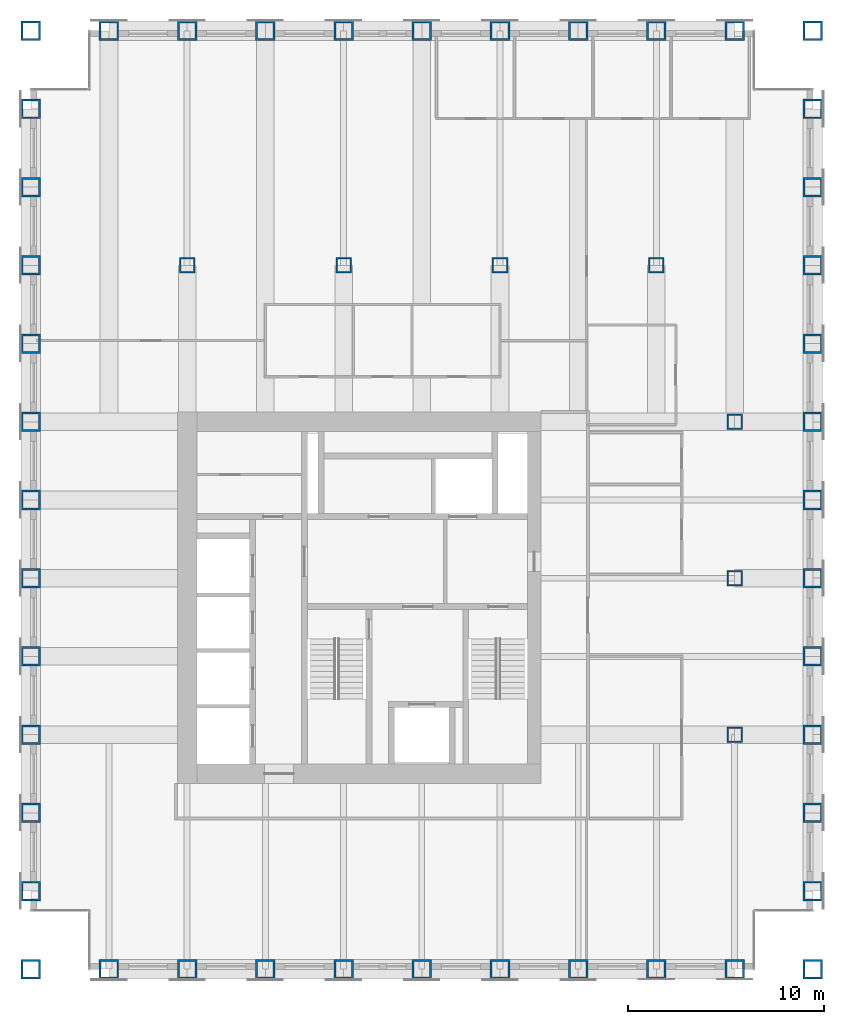
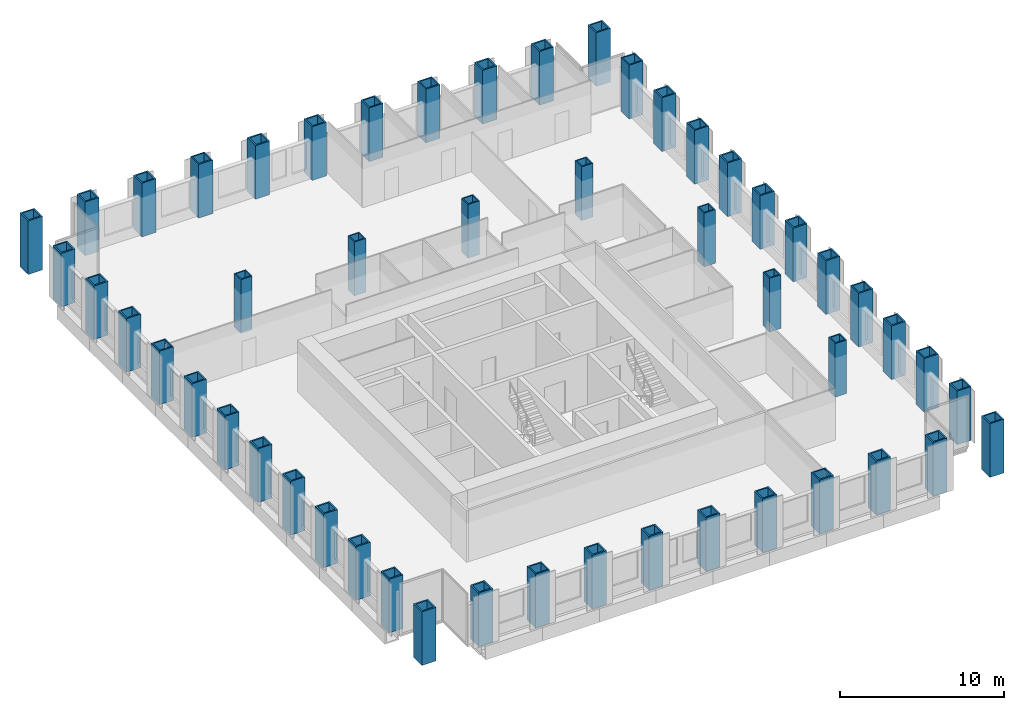
# One storey, part 1 of 13: 51 columns.
"""IFC4 building model written with IfcOpenShell, lengths in metres."""

from ifc_helpers import new_model, si_unit, direction, frame, origin, origin_2d, place, context, subcontext, project, spatial, hollow_rectangle, extrude, material, material_profile, profile_set, type_object, element, save


model = new_model("IFC4")

# Units and contexts
model_context = context("Model", 3, precision=1e-05, world=origin(), true_north=direction((0.0, 1.0)))
body_context = subcontext(model_context, "Body", "Model", "MODEL_VIEW")
ifc_project = project(units=[si_unit("LENGTHUNIT", "METRE"), si_unit("AREAUNIT", "SQUARE_METRE"), si_unit("VOLUMEUNIT", "CUBIC_METRE"), si_unit("PLANEANGLEUNIT", "RADIAN"), si_unit("MASSUNIT", "GRAM", prefix="KILO")], contexts=[model_context])

# Site, building, storey
site_placement = place(None, origin())
site = spatial("IfcSite", under=ifc_project, at=site_placement, CompositionType="ELEMENT")
building_placement = place(site_placement, origin())
building = spatial("IfcBuilding", under=site, at=building_placement, Name="Rimbunsela Tower", CompositionType="ELEMENT")
storey_placement = place(building_placement, frame((0.0, 0.0, 218.199951171875)))
storey = spatial("IfcBuildingStorey", under=building, at=storey_placement, Name="L52", CompositionType="ELEMENT", Elevation=218.199951171875)

# Columns
ifc_material_1 = material(Name="Steel BJ 55 (fy 410 MPa)", Category="steel")
ifc_material_profile_1 = material_profile(ifc_material_1, hollow_rectangle(XDim=1.0, YDim=1.0, WallThickness=0.10009765625, at=origin_2d()), Name="BOX 1000x1000x100")
ifc_profile_set_1 = profile_set([ifc_material_profile_1], Name="Steel BJ 55 (fy 410 MPa)")
column_type_1 = type_object("IfcColumnType", Name="Column BOX 1000x1000x100", PredefinedType="COLUMN", material=ifc_profile_set_1)
for number, where, z_axis, x_axis, name in (
    (1, (10.0, 8.0, 0.0), (0.0, 0.0, 1.0), (1.0, 0.0, 0.0), "Column C1 5/D L52"),
    (2, (10.0, 12.0, 0.0), (0.0, 0.0, 1.0), (1.0, 0.0, 0.0), "Column C1 5/E L52"),
    (3, (10.0, 16.0, 0.0), (0.0, 0.0, 1.0), (1.0, 0.0, 0.0), "Column C1 5/F L52"),
    (4, (10.0, 20.0, 0.0), (0.0, 0.0, 1.0), (1.0, 0.0, 0.0), "Column C1 5/G L52"),
    (5, (10.0, 24.0, 0.0), (0.0, 0.0, 1.0), (1.0, 0.0, 0.0), "Column C1 5/H L52"),
    (6, (10.0, 28.0, 0.0), (0.0, 0.0, 1.0), (1.0, 0.0, 0.0), "Column C1 5/J L52"),
    (7, (10.0, 32.0, 0.0), (0.0, 0.0, 1.0), (1.0, 0.0, 0.0), "Column C1 5/K L52"),
    (8, (10.0, 36.0, 0.0), (0.0, 0.0, 1.0), (1.0, 0.0, 0.0), "Column C1 5/L L52"),
    (9, (10.0, 40.0, 0.0), (0.0, 0.0, 1.0), (1.0, 0.0, 0.0), "Column C1 5/M L52"),
    (10, (10.0, 44.0, 0.0), (0.0, 0.0, 1.0), (1.0, 0.0, 0.0), "Column C1 5/N L52"),
    (11, (10.0, 48.0, 0.0), (0.0, 0.0, 1.0), (1.0, 0.0, 0.0), "Column C1 5/P L52"),
    (12, (10.0, 52.0, 0.0), (0.0, 0.0, 1.0), (1.0, 0.0, 0.0), "Column C1 5/Q L52"),
    (13, (10.0, 56.0, 0.0), (0.0, 0.0, 1.0), (1.0, 0.0, 0.0), "Column C1 5/R L52"),
    (14, (14.0, 8.0, 0.0), (0.0, 0.0, 1.0), (1.0, 0.0, 0.0), "Column C1 6/D L52"),
    (15, (14.0, 56.0, 0.0), (0.0, 0.0, 1.0), (1.0, 0.0, 0.0), "Column C1 6/R L52"),
    (16, (18.0, 8.0, 0.0), (0.0, 0.0, 1.0), (1.0, 0.0, 0.0), "Column C1 7/D L52"),
    (17, (18.0, 56.0, 0.0), (0.0, 0.0, 1.0), (1.0, 0.0, 0.0), "Column C1 7/R L52"),
    (18, (22.0, 8.0, 0.0), (0.0, 0.0, 1.0), (1.0, 0.0, 0.0), "Column C1 8/D L52"),
    (19, (22.0, 56.0, 0.0), (0.0, 0.0, 1.0), (1.0, 0.0, 0.0), "Column C1 8/R L52"),
    (20, (26.0, 8.0, 0.0), (0.0, 0.0, 1.0), (1.0, 0.0, 0.0), "Column C1 9/D L52"),
    (21, (26.0, 56.0, 0.0), (0.0, 0.0, 1.0), (1.0, 0.0, 0.0), "Column C1 9/R L52"),
    (22, (30.0, 8.0, 0.0), (0.0, 0.0, 1.0), (1.0, 0.0, 0.0), "Column C1 10/D L52"),
    (23, (30.0, 56.0, 0.0), (0.0, 0.0, 1.0), (1.0, 0.0, 0.0), "Column C1 10/R L52"),
    (24, (34.0, 8.0, 0.0), (0.0, 0.0, 1.0), (1.0, 0.0, 0.0), "Column C1 11/D L52"),
    (25, (34.0, 56.0, 0.0), (0.0, 0.0, 1.0), (1.0, 0.0, 0.0), "Column C1 11/R L52"),
    (26, (38.0, 8.0, 0.0), (0.0, 0.0, 1.0), (1.0, 0.0, 0.0), "Column C1 12/D L52"),
    (27, (38.0, 56.0, 0.0), (0.0, 0.0, 1.0), (1.0, 0.0, 0.0), "Column C1 12/R L52"),
    (28, (42.0, 8.0, 0.0), (0.0, 0.0, 1.0), (1.0, 0.0, 0.0), "Column C1 13/D L52"),
    (29, (42.0, 56.0, 0.0), (0.0, 0.0, 1.0), (1.0, 0.0, 0.0), "Column C1 13/R L52"),
    (30, (46.0, 8.0, 0.0), (0.0, 0.0, 1.0), (1.0, 0.0, 0.0), "Column C1 14/D L52"),
    (31, (46.0, 56.0, 0.0), (0.0, 0.0, 1.0), (1.0, 0.0, 0.0), "Column C1 14/R L52"),
    (32, (50.0, 8.0, 0.0), (0.0, 0.0, 1.0), (1.0, 0.0, 0.0), "Column C1 15/D L52"),
    (33, (50.0, 12.0, 0.0), (0.0, 0.0, 1.0), (1.0, 0.0, 0.0), "Column C1 15/E L52"),
    (34, (50.0, 16.0, 0.0), (0.0, 0.0, 1.0), (1.0, 0.0, 0.0), "Column C1 15/F L52"),
    (35, (50.0, 20.0, 0.0), (0.0, 0.0, 1.0), (1.0, 0.0, 0.0), "Column C1 15/G L52"),
    (36, (50.0, 24.0, 0.0), (0.0, 0.0, 1.0), (1.0, 0.0, 0.0), "Column C1 15/H L52"),
    (37, (50.0, 28.0, 0.0), (0.0, 0.0, 1.0), (1.0, 0.0, 0.0), "Column C1 15/J L52"),
    (38, (50.0, 32.0, 0.0), (0.0, 0.0, 1.0), (1.0, 0.0, 0.0), "Column C1 15/K L52"),
    (39, (50.0, 36.0, 0.0), (0.0, 0.0, 1.0), (1.0, 0.0, 0.0), "Column C1 15/L L52"),
    (40, (50.0, 40.0, 0.0), (0.0, 0.0, 1.0), (1.0, 0.0, 0.0), "Column C1 15/M L52"),
    (41, (50.0, 44.0, 0.0), (0.0, 0.0, 1.0), (1.0, 0.0, 0.0), "Column C1 15/N L52"),
    (42, (50.0, 48.0, 0.0), (0.0, 0.0, 1.0), (1.0, 0.0, 0.0), "Column C1 15/P L52"),
    (43, (50.0, 52.0, 0.0), (0.0, 0.0, 1.0), (1.0, 0.0, 0.0), "Column C1 15/Q L52"),
    (44, (50.0, 56.0, 0.0), (0.0, 0.0, 1.0), (1.0, 0.0, 0.0), "Column C1 15/R L52"),
):
    element("IfcColumn", number, at=place(storey_placement, frame(where, z_axis=z_axis, x_axis=x_axis)), inside=storey, type_object=column_type_1, Name=name, PredefinedType="COLUMN", context=body_context, shape_type="SweptSolid", body=[
        extrude(hollow_rectangle(XDim=1.0, YDim=1.0, WallThickness=0.10009765625, at=origin_2d()), origin(), (0.0, 0.0, 1.0), 4.0),
    ])
ifc_material_2 = material(Name="Steel BJ 55 (fy 410 MPa)", Category="steel")
ifc_material_profile_2 = material_profile(ifc_material_2, hollow_rectangle(XDim=0.800048828125, YDim=0.800048828125, WallThickness=0.080078125, at=origin_2d()), Name="BOX 800x800x80")
ifc_profile_set_2 = profile_set([ifc_material_profile_2], Name="Steel BJ 55 (fy 410 MPa)")
column_type_2 = type_object("IfcColumnType", Name="Column BOX 800x800x80", PredefinedType="COLUMN", material=ifc_profile_set_2)
for number, where, z_axis, x_axis, name in (
    (45, (18.0, 44.0, 0.0), (0.0, 0.0, 1.0), (1.0, 0.0, 0.0), "Column C2 7/N L52"),
    (46, (26.0, 44.0, 0.0), (0.0, 0.0, 1.0), (1.0, 0.0, 0.0), "Column C2 9/N L52"),
    (47, (34.0, 44.0, 0.0), (0.0, 0.0, 1.0), (1.0, 0.0, 0.0), "Column C2 11/N L52"),
    (48, (42.0, 44.0, 0.0), (0.0, 0.0, 1.0), (1.0, 0.0, 0.0), "Column C2 13/N L52"),
    (49, (46.0, 20.0, 0.0), (0.0, 0.0, 1.0), (1.0, 0.0, 0.0), "Column C2 14/G L52"),
    (50, (46.0, 28.0, 0.0), (0.0, 0.0, 1.0), (1.0, 0.0, 0.0), "Column C2 14/J L52"),
    (51, (46.0, 36.0, 0.0), (0.0, 0.0, 1.0), (1.0, 0.0, 0.0), "Column C2 14/L L52"),
):
    element("IfcColumn", number, at=place(storey_placement, frame(where, z_axis=z_axis, x_axis=x_axis)), inside=storey, type_object=column_type_2, Name=name, PredefinedType="COLUMN", context=body_context, shape_type="SweptSolid", body=[
        extrude(hollow_rectangle(XDim=0.800048828125, YDim=0.800048828125, WallThickness=0.080078125, at=origin_2d()), origin(), (0.0, 0.0, 1.0), 4.0),
    ])

save(model, "model.ifc")
